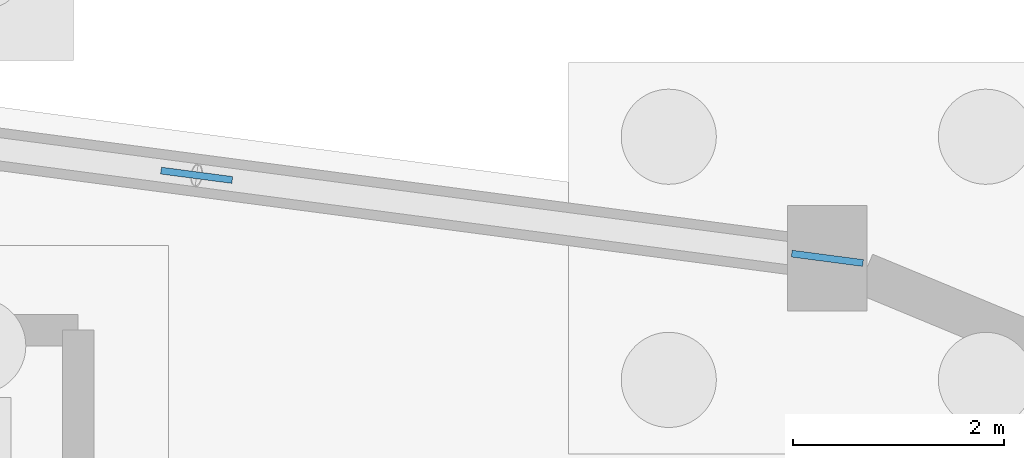
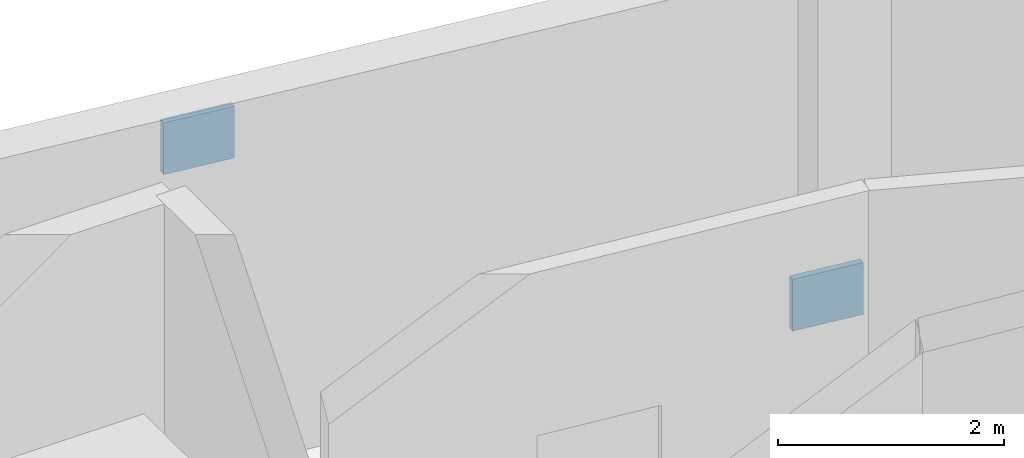
# One storey, part 29 of 43: 2 plates.
"""IFC4 building model written with IfcOpenShell, lengths in metres."""

from ifc_helpers import new_model, si_unit, direction, frame, origin, origin_2d, place, context, subcontext, project, spatial, rectangle, extrude, material, layer, layer_set, type_object, element, save


model = new_model("IFC4")

# Units and contexts
model_context = context("Model", 3, precision=1e-05, world=origin(), true_north=direction((0.0, 1.0)))
body_context = subcontext(model_context, "Body", "Model", "MODEL_VIEW")
ifc_project = project(units=[si_unit("LENGTHUNIT", "METRE"), si_unit("AREAUNIT", "SQUARE_METRE"), si_unit("VOLUMEUNIT", "CUBIC_METRE"), si_unit("PLANEANGLEUNIT", "RADIAN"), si_unit("MASSUNIT", "GRAM", prefix="KILO")], contexts=[model_context])

# Site, building, storey
site_placement = place(None, origin())
site = spatial("IfcSite", under=ifc_project, at=site_placement, CompositionType="ELEMENT")
building_placement = place(site_placement, origin())
building = spatial("IfcBuilding", under=site, at=building_placement, Name="Vespera Passage Community Centre", CompositionType="ELEMENT")
storey_placement = place(building_placement, frame((0.0, 0.0, -4.199951171875)))
storey = spatial("IfcBuildingStorey", under=building, at=storey_placement, Name="B1", CompositionType="ELEMENT", Elevation=-4.199951171875)

# Plates
ifc_material = material(Name="Steel ASTM A572 Grade 50", Category="steel")
ifc_layer = layer(ifc_material, 0.06494140625)
ifc_layer_set = layer_set([ifc_layer], Name="Steel ASTM A572 Grade 50")
plate_type = type_object("IfcPlateType", Name="PL-GUS-65", PredefinedType="SHEET", material=ifc_layer_set)
for number, where, z_axis, x_axis, name in (
    (1, (89.931640625, 110.029296875, -0.10009765625), (0.0, 0.0, 1.0), (-0.991444861374, 0.13052619222, 0.0), "B1 Chevron Brace Gusset 1L"),
    (2, (83.9658203125, 110.814697265625, 3.2001953125), (0.0, 0.0, 1.0), (-0.991444861374, 0.13052619222, 0.0), "B1 Chevron Brace Gusset 1M"),
):
    element("IfcPlate", number, at=place(storey_placement, frame(where, z_axis=z_axis, x_axis=x_axis)), inside=storey, type_object=plate_type, Name=name, PredefinedType="SHEET", context=body_context, shape_type="SweptSolid", body=[
        extrude(rectangle(XDim=0.679931640625, YDim=0.06494140625, at=origin_2d()), origin(), (0.0, 0.0, 1.0), 0.56005859375),
    ])

save(model, "model.ifc")
